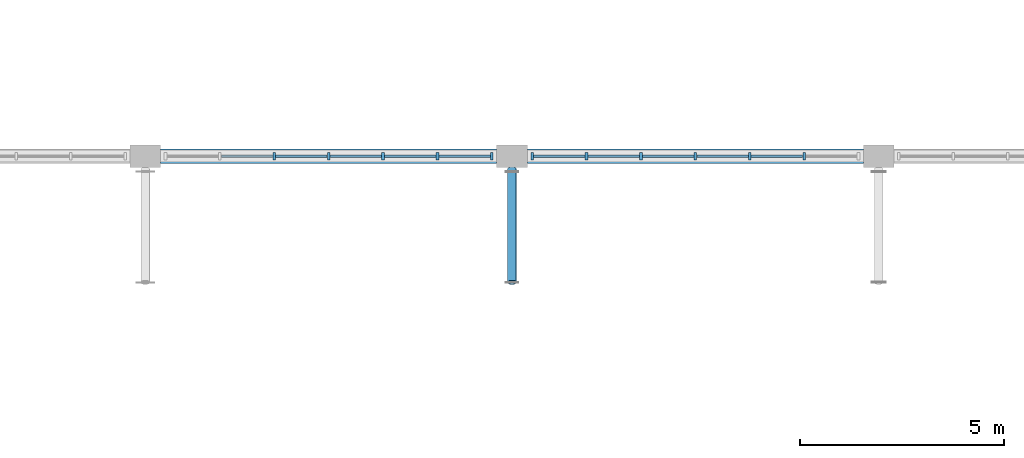
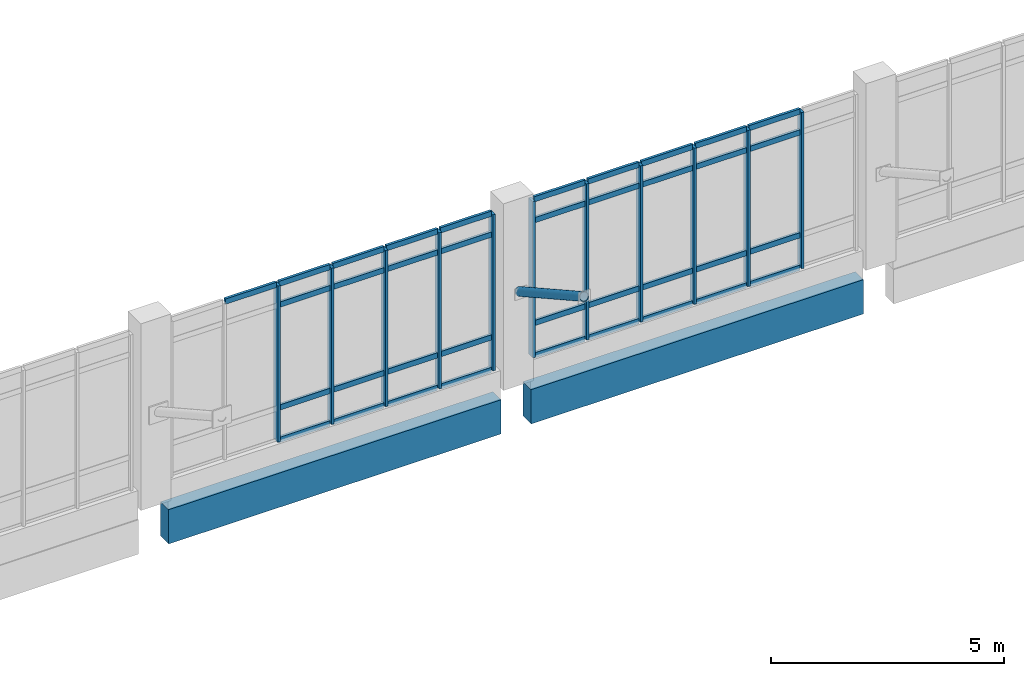
# One storey, part 27 of 110: 49 members, 2 beams, 2 elements without a shape of their own.
"""IFC4 building model written with IfcOpenShell, lengths in metres."""

from ifc_helpers import new_model, si_unit, direction, frame, origin, origin_2d, place, context, subcontext, project, spatial, rectangle, hollow_circle, extrude, material, layer, layer_set, material_profile, profile_set, type_object, element, aggregate, save


model = new_model("IFC4")

# Units and contexts
model_context = context("Model", 3, precision=1e-05, world=origin(), true_north=direction((0.0, 1.0)))
body_context = subcontext(model_context, "Body", "Model", "MODEL_VIEW")
ifc_project = project(units=[si_unit("LENGTHUNIT", "METRE"), si_unit("AREAUNIT", "SQUARE_METRE"), si_unit("VOLUMEUNIT", "CUBIC_METRE"), si_unit("PLANEANGLEUNIT", "RADIAN"), si_unit("MASSUNIT", "GRAM", prefix="KILO")], contexts=[model_context])

# Site, building, storey
site_placement = place(None, origin())
site = spatial("IfcSite", under=ifc_project, at=site_placement, CompositionType="ELEMENT")
building_placement = place(site_placement, origin())
building = spatial("IfcBuilding", under=site, at=building_placement, Name="Zacnel Wholesale Market", CompositionType="ELEMENT")
storey_placement = place(building_placement, frame((0.0, 0.0, 6.300048828125)))
storey = spatial("IfcBuildingStorey", under=building, at=storey_placement, Name="L02", CompositionType="ELEMENT", Elevation=6.300048828125)

# Beams
ifc_material_1 = material(Name="Precast concrete C45/55", Category="concrete")
ifc_material_profile_1 = material_profile(ifc_material_1, rectangle(XDim=0.35009765625, YDim=0.89990234375, at=origin_2d()), Name="SP 350x900")
ifc_profile_set_1 = profile_set([ifc_material_profile_1], Name="Precast concrete C45/55")
beam_type = type_object("IfcBeamType", Name="BM-SP900", PredefinedType="SPANDREL", material=ifc_profile_set_1)
for number, where, z_axis, x_axis, name in (
    (1, (108.375, 96.300048828125, -0.75), (1.0, 0.0, 0.0), (0.0, 1.0, 0.0), "Precast girder X-0233"),
    (2, (117.375, 96.300048828125, -0.75), (1.0, 0.0, 0.0), (0.0, 1.0, 0.0), "Precast girder X-0234"),
):
    element("IfcBeam", number, at=place(storey_placement, frame(where, z_axis=z_axis, x_axis=x_axis)), inside=storey, type_object=beam_type, Name=name, PredefinedType="SPANDREL", context=body_context, shape_type="SweptSolid", body=[
        extrude(rectangle(XDim=0.35009765625, YDim=0.89990234375, at=origin_2d()), origin(), (0.0, 0.0, 1.0), 8.25),
    ])

# Curtain wall, members
ifc_material_2 = material(Name="Anodised aluminium", Category="aluminium")
ifc_layer = layer(ifc_material_2, 0.159912109375)
ifc_layer_set = layer_set([ifc_layer], Name="Anodised aluminium")
curtain_wall_type = type_object("IfcCurtainWallType", Name="CW-NAVE-4200", PredefinedType="NOTDEFINED", material=ifc_layer_set)
curtain_wall_1_placement = place(storey_placement, origin())
curtain_wall_1 = element("IfcCurtainWall", 3, at=curtain_wall_1_placement, inside=storey, type_object=curtain_wall_type, Name="Curtain wall ENV-R2-CW-L02-024", PredefinedType="NOTDEFINED")
ifc_material_3 = material(Name="Anodised aluminium", Category="aluminium")
ifc_material_profile_2 = material_profile(ifc_material_3, rectangle(XDim=0.06494140625, YDim=0.179931640625, at=origin_2d()), Name="AW-MULLION 65x180")
ifc_profile_set_2 = profile_set([ifc_material_profile_2], Name="Anodised aluminium")
member_type_1 = type_object("IfcMemberType", Name="CWM-MUL-03", PredefinedType="MULLION", material=ifc_profile_set_2)
member_1_placement = place(storey_placement, frame((111.1650390625, 96.300048828125, 0.449951171875), z_axis=(0.0, 0.0, 1.0), x_axis=(1.0, 0.0, 0.0)))
member_1 = element("IfcMember", 4, at=member_1_placement, type_object=member_type_1, Name="ENV-R2-CW-L02-024 mullion 03", PredefinedType="MULLION", context=body_context, shape_type="SweptSolid", body=[
    extrude(rectangle(XDim=0.06494140625, YDim=0.179931640625, at=origin_2d()), origin(), (0.0, 0.0, 1.0), 4.10009765625),
])
member_2_placement = place(storey_placement, frame((112.5, 96.300048828125, 0.449951171875), z_axis=(0.0, 0.0, 1.0), x_axis=(1.0, 0.0, 0.0)))
member_2 = element("IfcMember", 5, at=member_2_placement, type_object=member_type_1, Name="ENV-R2-CW-L02-024 mullion 04", PredefinedType="MULLION", context=body_context, shape_type="SweptSolid", body=[
    extrude(rectangle(XDim=0.06494140625, YDim=0.179931640625, at=origin_2d()), origin(), (0.0, 0.0, 1.0), 4.10009765625),
])
member_3_placement = place(storey_placement, frame((113.8349609375, 96.300048828125, 0.449951171875), z_axis=(0.0, 0.0, 1.0), x_axis=(1.0, 0.0, 0.0)))
member_3 = element("IfcMember", 6, at=member_3_placement, type_object=member_type_1, Name="ENV-R2-CW-L02-024 mullion 05", PredefinedType="MULLION", context=body_context, shape_type="SweptSolid", body=[
    extrude(rectangle(XDim=0.06494140625, YDim=0.179931640625, at=origin_2d()), origin(), (0.0, 0.0, 1.0), 4.10009765625),
])
member_4_placement = place(storey_placement, frame((115.169921875, 96.300048828125, 0.449951171875), z_axis=(0.0, 0.0, 1.0), x_axis=(1.0, 0.0, 0.0)))
member_4 = element("IfcMember", 7, at=member_4_placement, type_object=member_type_1, Name="ENV-R2-CW-L02-024 mullion 06", PredefinedType="MULLION", context=body_context, shape_type="SweptSolid", body=[
    extrude(rectangle(XDim=0.06494140625, YDim=0.179931640625, at=origin_2d()), origin(), (0.0, 0.0, 1.0), 4.10009765625),
])
member_5_placement = place(storey_placement, frame((116.5048828125, 96.300048828125, 0.449951171875), z_axis=(0.0, 0.0, 1.0), x_axis=(1.0, 0.0, 0.0)))
member_5 = element("IfcMember", 8, at=member_5_placement, type_object=member_type_1, Name="ENV-R2-CW-L02-024 mullion 07", PredefinedType="MULLION", context=body_context, shape_type="SweptSolid", body=[
    extrude(rectangle(XDim=0.06494140625, YDim=0.179931640625, at=origin_2d()), origin(), (0.0, 0.0, 1.0), 4.10009765625),
])

curtain_wall_2_placement = place(storey_placement, origin())
curtain_wall_2 = element("IfcCurtainWall", 9, at=curtain_wall_2_placement, inside=storey, type_object=curtain_wall_type, Name="Curtain wall ENV-R2-CW-L02-025", PredefinedType="NOTDEFINED")
member_6_placement = place(storey_placement, frame((117.4951171875, 96.300048828125, 0.449951171875), z_axis=(0.0, 0.0, 1.0), x_axis=(1.0, 0.0, 0.0)))
member_6 = element("IfcMember", 10, at=member_6_placement, type_object=member_type_1, Name="ENV-R2-CW-L02-025 mullion 01", PredefinedType="MULLION", context=body_context, shape_type="SweptSolid", body=[
    extrude(rectangle(XDim=0.06494140625, YDim=0.179931640625, at=origin_2d()), origin(), (0.0, 0.0, 1.0), 4.10009765625),
])
member_7_placement = place(storey_placement, frame((118.830078125, 96.300048828125, 0.449951171875), z_axis=(0.0, 0.0, 1.0), x_axis=(1.0, 0.0, 0.0)))
member_7 = element("IfcMember", 11, at=member_7_placement, type_object=member_type_1, Name="ENV-R2-CW-L02-025 mullion 02", PredefinedType="MULLION", context=body_context, shape_type="SweptSolid", body=[
    extrude(rectangle(XDim=0.06494140625, YDim=0.179931640625, at=origin_2d()), origin(), (0.0, 0.0, 1.0), 4.10009765625),
])
member_8_placement = place(storey_placement, frame((120.1650390625, 96.300048828125, 0.449951171875), z_axis=(0.0, 0.0, 1.0), x_axis=(1.0, 0.0, 0.0)))
member_8 = element("IfcMember", 12, at=member_8_placement, type_object=member_type_1, Name="ENV-R2-CW-L02-025 mullion 03", PredefinedType="MULLION", context=body_context, shape_type="SweptSolid", body=[
    extrude(rectangle(XDim=0.06494140625, YDim=0.179931640625, at=origin_2d()), origin(), (0.0, 0.0, 1.0), 4.10009765625),
])
member_9_placement = place(storey_placement, frame((121.5, 96.300048828125, 0.449951171875), z_axis=(0.0, 0.0, 1.0), x_axis=(1.0, 0.0, 0.0)))
member_9 = element("IfcMember", 13, at=member_9_placement, type_object=member_type_1, Name="ENV-R2-CW-L02-025 mullion 04", PredefinedType="MULLION", context=body_context, shape_type="SweptSolid", body=[
    extrude(rectangle(XDim=0.06494140625, YDim=0.179931640625, at=origin_2d()), origin(), (0.0, 0.0, 1.0), 4.10009765625),
])
member_10_placement = place(storey_placement, frame((122.8349609375, 96.300048828125, 0.449951171875), z_axis=(0.0, 0.0, 1.0), x_axis=(1.0, 0.0, 0.0)))
member_10 = element("IfcMember", 14, at=member_10_placement, type_object=member_type_1, Name="ENV-R2-CW-L02-025 mullion 05", PredefinedType="MULLION", context=body_context, shape_type="SweptSolid", body=[
    extrude(rectangle(XDim=0.06494140625, YDim=0.179931640625, at=origin_2d()), origin(), (0.0, 0.0, 1.0), 4.10009765625),
])
member_11_placement = place(storey_placement, frame((124.169921875, 96.300048828125, 0.449951171875), z_axis=(0.0, 0.0, 1.0), x_axis=(1.0, 0.0, 0.0)))
member_11 = element("IfcMember", 15, at=member_11_placement, type_object=member_type_1, Name="ENV-R2-CW-L02-025 mullion 06", PredefinedType="MULLION", context=body_context, shape_type="SweptSolid", body=[
    extrude(rectangle(XDim=0.06494140625, YDim=0.179931640625, at=origin_2d()), origin(), (0.0, 0.0, 1.0), 4.10009765625),
])

# Member
ifc_material_4 = material(Name="Anodised aluminium", Category="aluminium")
ifc_material_profile_3 = material_profile(ifc_material_4, rectangle(XDim=0.06494140625, YDim=0.139892578125, at=origin_2d()), Name="AW-TRANSOM 65x140")
ifc_profile_set_3 = profile_set([ifc_material_profile_3], Name="Anodised aluminium")
member_type_2 = type_object("IfcMemberType", Name="CWM-TRN-03", PredefinedType="USERDEFINED", material=ifc_profile_set_3)
member_12_placement = place(storey_placement, frame((109.864990234375, 96.300048828125, 4.550048828125), z_axis=(1.0, 0.0, 0.0), x_axis=(0.0, 1.0, 0.0)))
member_12 = element("IfcMember", 16, at=member_12_placement, type_object=member_type_2, Name="ENV-R2-CW-L02-024 transom 2-4", ObjectType="TRANSOM", PredefinedType="USERDEFINED", context=body_context, shape_type="SweptSolid", body=[
    extrude(rectangle(XDim=0.06494140625, YDim=0.139892578125, at=origin_2d()), origin(), (0.0, 0.0, 1.0), 1.264892578125),
])

member_13_placement = place(storey_placement, frame((111.199951171875, 96.300048828125, 0.449951171875), z_axis=(1.0, 0.0, 0.0), x_axis=(0.0, 1.0, 0.0)))
member_13 = element("IfcMember", 17, at=member_13_placement, type_object=member_type_2, Name="ENV-R2-CW-L02-024 transom 3-1", ObjectType="TRANSOM", PredefinedType="USERDEFINED", context=body_context, shape_type="SweptSolid", body=[
    extrude(rectangle(XDim=0.06494140625, YDim=0.139892578125, at=origin_2d()), origin(), (0.0, 0.0, 1.0), 1.26513671875),
])

member_14_placement = place(storey_placement, frame((111.199951171875, 96.300048828125, 1.300048828125), z_axis=(1.0, 0.0, 0.0), x_axis=(0.0, 1.0, 0.0)))
member_14 = element("IfcMember", 18, at=member_14_placement, type_object=member_type_2, Name="ENV-R2-CW-L02-024 transom 3-2", ObjectType="TRANSOM", PredefinedType="USERDEFINED", context=body_context, shape_type="SweptSolid", body=[
    extrude(rectangle(XDim=0.06494140625, YDim=0.139892578125, at=origin_2d()), origin(), (0.0, 0.0, 1.0), 1.26513671875),
])

member_15_placement = place(storey_placement, frame((111.199951171875, 96.300048828125, 4.0), z_axis=(1.0, 0.0, 0.0), x_axis=(0.0, 1.0, 0.0)))
member_15 = element("IfcMember", 19, at=member_15_placement, type_object=member_type_2, Name="ENV-R2-CW-L02-024 transom 3-3", ObjectType="TRANSOM", PredefinedType="USERDEFINED", context=body_context, shape_type="SweptSolid", body=[
    extrude(rectangle(XDim=0.06494140625, YDim=0.139892578125, at=origin_2d()), origin(), (0.0, 0.0, 1.0), 1.26513671875),
])

member_16_placement = place(storey_placement, frame((111.199951171875, 96.300048828125, 4.550048828125), z_axis=(1.0, 0.0, 0.0), x_axis=(0.0, 1.0, 0.0)))
member_16 = element("IfcMember", 20, at=member_16_placement, type_object=member_type_2, Name="ENV-R2-CW-L02-024 transom 3-4", ObjectType="TRANSOM", PredefinedType="USERDEFINED", context=body_context, shape_type="SweptSolid", body=[
    extrude(rectangle(XDim=0.06494140625, YDim=0.139892578125, at=origin_2d()), origin(), (0.0, 0.0, 1.0), 1.26513671875),
])

member_17_placement = place(storey_placement, frame((112.534912109375, 96.300048828125, 0.449951171875), z_axis=(1.0, 0.0, 0.0), x_axis=(0.0, 1.0, 0.0)))
member_17 = element("IfcMember", 21, at=member_17_placement, type_object=member_type_2, Name="ENV-R2-CW-L02-024 transom 4-1", ObjectType="TRANSOM", PredefinedType="USERDEFINED", context=body_context, shape_type="SweptSolid", body=[
    extrude(rectangle(XDim=0.06494140625, YDim=0.139892578125, at=origin_2d()), origin(), (0.0, 0.0, 1.0), 1.26513671875),
])

member_18_placement = place(storey_placement, frame((112.534912109375, 96.300048828125, 1.300048828125), z_axis=(1.0, 0.0, 0.0), x_axis=(0.0, 1.0, 0.0)))
member_18 = element("IfcMember", 22, at=member_18_placement, type_object=member_type_2, Name="ENV-R2-CW-L02-024 transom 4-2", ObjectType="TRANSOM", PredefinedType="USERDEFINED", context=body_context, shape_type="SweptSolid", body=[
    extrude(rectangle(XDim=0.06494140625, YDim=0.139892578125, at=origin_2d()), origin(), (0.0, 0.0, 1.0), 1.26513671875),
])

member_19_placement = place(storey_placement, frame((112.534912109375, 96.300048828125, 4.0), z_axis=(1.0, 0.0, 0.0), x_axis=(0.0, 1.0, 0.0)))
member_19 = element("IfcMember", 23, at=member_19_placement, type_object=member_type_2, Name="ENV-R2-CW-L02-024 transom 4-3", ObjectType="TRANSOM", PredefinedType="USERDEFINED", context=body_context, shape_type="SweptSolid", body=[
    extrude(rectangle(XDim=0.06494140625, YDim=0.139892578125, at=origin_2d()), origin(), (0.0, 0.0, 1.0), 1.26513671875),
])

member_20_placement = place(storey_placement, frame((112.534912109375, 96.300048828125, 4.550048828125), z_axis=(1.0, 0.0, 0.0), x_axis=(0.0, 1.0, 0.0)))
member_20 = element("IfcMember", 24, at=member_20_placement, type_object=member_type_2, Name="ENV-R2-CW-L02-024 transom 4-4", ObjectType="TRANSOM", PredefinedType="USERDEFINED", context=body_context, shape_type="SweptSolid", body=[
    extrude(rectangle(XDim=0.06494140625, YDim=0.139892578125, at=origin_2d()), origin(), (0.0, 0.0, 1.0), 1.26513671875),
])

member_21_placement = place(storey_placement, frame((113.8701171875, 96.300048828125, 0.449951171875), z_axis=(1.0, 0.0, 0.0), x_axis=(0.0, 1.0, 0.0)))
member_21 = element("IfcMember", 25, at=member_21_placement, type_object=member_type_2, Name="ENV-R2-CW-L02-024 transom 5-1", ObjectType="TRANSOM", PredefinedType="USERDEFINED", context=body_context, shape_type="SweptSolid", body=[
    extrude(rectangle(XDim=0.06494140625, YDim=0.139892578125, at=origin_2d()), origin(), (0.0, 0.0, 1.0), 1.264892578125),
])

member_22_placement = place(storey_placement, frame((113.8701171875, 96.300048828125, 1.300048828125), z_axis=(1.0, 0.0, 0.0), x_axis=(0.0, 1.0, 0.0)))
member_22 = element("IfcMember", 26, at=member_22_placement, type_object=member_type_2, Name="ENV-R2-CW-L02-024 transom 5-2", ObjectType="TRANSOM", PredefinedType="USERDEFINED", context=body_context, shape_type="SweptSolid", body=[
    extrude(rectangle(XDim=0.06494140625, YDim=0.139892578125, at=origin_2d()), origin(), (0.0, 0.0, 1.0), 1.264892578125),
])

member_23_placement = place(storey_placement, frame((113.8701171875, 96.300048828125, 4.0), z_axis=(1.0, 0.0, 0.0), x_axis=(0.0, 1.0, 0.0)))
member_23 = element("IfcMember", 27, at=member_23_placement, type_object=member_type_2, Name="ENV-R2-CW-L02-024 transom 5-3", ObjectType="TRANSOM", PredefinedType="USERDEFINED", context=body_context, shape_type="SweptSolid", body=[
    extrude(rectangle(XDim=0.06494140625, YDim=0.139892578125, at=origin_2d()), origin(), (0.0, 0.0, 1.0), 1.264892578125),
])

member_24_placement = place(storey_placement, frame((113.8701171875, 96.300048828125, 4.550048828125), z_axis=(1.0, 0.0, 0.0), x_axis=(0.0, 1.0, 0.0)))
member_24 = element("IfcMember", 28, at=member_24_placement, type_object=member_type_2, Name="ENV-R2-CW-L02-024 transom 5-4", ObjectType="TRANSOM", PredefinedType="USERDEFINED", context=body_context, shape_type="SweptSolid", body=[
    extrude(rectangle(XDim=0.06494140625, YDim=0.139892578125, at=origin_2d()), origin(), (0.0, 0.0, 1.0), 1.264892578125),
])

member_25_placement = place(storey_placement, frame((115.205078125, 96.300048828125, 0.449951171875), z_axis=(1.0, 0.0, 0.0), x_axis=(0.0, 1.0, 0.0)))
member_25 = element("IfcMember", 29, at=member_25_placement, type_object=member_type_2, Name="ENV-R2-CW-L02-024 transom 6-1", ObjectType="TRANSOM", PredefinedType="USERDEFINED", context=body_context, shape_type="SweptSolid", body=[
    extrude(rectangle(XDim=0.06494140625, YDim=0.139892578125, at=origin_2d()), origin(), (0.0, 0.0, 1.0), 1.264892578125),
])

member_26_placement = place(storey_placement, frame((115.205078125, 96.300048828125, 1.300048828125), z_axis=(1.0, 0.0, 0.0), x_axis=(0.0, 1.0, 0.0)))
member_26 = element("IfcMember", 30, at=member_26_placement, type_object=member_type_2, Name="ENV-R2-CW-L02-024 transom 6-2", ObjectType="TRANSOM", PredefinedType="USERDEFINED", context=body_context, shape_type="SweptSolid", body=[
    extrude(rectangle(XDim=0.06494140625, YDim=0.139892578125, at=origin_2d()), origin(), (0.0, 0.0, 1.0), 1.264892578125),
])

member_27_placement = place(storey_placement, frame((115.205078125, 96.300048828125, 4.0), z_axis=(1.0, 0.0, 0.0), x_axis=(0.0, 1.0, 0.0)))
member_27 = element("IfcMember", 31, at=member_27_placement, type_object=member_type_2, Name="ENV-R2-CW-L02-024 transom 6-3", ObjectType="TRANSOM", PredefinedType="USERDEFINED", context=body_context, shape_type="SweptSolid", body=[
    extrude(rectangle(XDim=0.06494140625, YDim=0.139892578125, at=origin_2d()), origin(), (0.0, 0.0, 1.0), 1.264892578125),
])

member_28_placement = place(storey_placement, frame((115.205078125, 96.300048828125, 4.550048828125), z_axis=(1.0, 0.0, 0.0), x_axis=(0.0, 1.0, 0.0)))
member_28 = element("IfcMember", 32, at=member_28_placement, type_object=member_type_2, Name="ENV-R2-CW-L02-024 transom 6-4", ObjectType="TRANSOM", PredefinedType="USERDEFINED", context=body_context, shape_type="SweptSolid", body=[
    extrude(rectangle(XDim=0.06494140625, YDim=0.139892578125, at=origin_2d()), origin(), (0.0, 0.0, 1.0), 1.264892578125),
])

aggregate(curtain_wall_1, [member_1, member_2, member_3, member_4, member_5, member_12, member_13, member_14, member_15, member_16, member_17, member_18, member_19, member_20, member_21, member_22, member_23, member_24, member_25, member_26, member_27, member_28])

member_29_placement = place(storey_placement, frame((117.530029296875, 96.300048828125, 0.449951171875), z_axis=(1.0, 0.0, 0.0), x_axis=(0.0, 1.0, 0.0)))
member_29 = element("IfcMember", 33, at=member_29_placement, type_object=member_type_2, Name="ENV-R2-CW-L02-025 transom 1-1", ObjectType="TRANSOM", PredefinedType="USERDEFINED", context=body_context, shape_type="SweptSolid", body=[
    extrude(rectangle(XDim=0.06494140625, YDim=0.139892578125, at=origin_2d()), origin(), (0.0, 0.0, 1.0), 1.264892578125),
])

member_30_placement = place(storey_placement, frame((117.530029296875, 96.300048828125, 1.300048828125), z_axis=(1.0, 0.0, 0.0), x_axis=(0.0, 1.0, 0.0)))
member_30 = element("IfcMember", 34, at=member_30_placement, type_object=member_type_2, Name="ENV-R2-CW-L02-025 transom 1-2", ObjectType="TRANSOM", PredefinedType="USERDEFINED", context=body_context, shape_type="SweptSolid", body=[
    extrude(rectangle(XDim=0.06494140625, YDim=0.139892578125, at=origin_2d()), origin(), (0.0, 0.0, 1.0), 1.264892578125),
])

member_31_placement = place(storey_placement, frame((117.530029296875, 96.300048828125, 4.0), z_axis=(1.0, 0.0, 0.0), x_axis=(0.0, 1.0, 0.0)))
member_31 = element("IfcMember", 35, at=member_31_placement, type_object=member_type_2, Name="ENV-R2-CW-L02-025 transom 1-3", ObjectType="TRANSOM", PredefinedType="USERDEFINED", context=body_context, shape_type="SweptSolid", body=[
    extrude(rectangle(XDim=0.06494140625, YDim=0.139892578125, at=origin_2d()), origin(), (0.0, 0.0, 1.0), 1.264892578125),
])

member_32_placement = place(storey_placement, frame((117.530029296875, 96.300048828125, 4.550048828125), z_axis=(1.0, 0.0, 0.0), x_axis=(0.0, 1.0, 0.0)))
member_32 = element("IfcMember", 36, at=member_32_placement, type_object=member_type_2, Name="ENV-R2-CW-L02-025 transom 1-4", ObjectType="TRANSOM", PredefinedType="USERDEFINED", context=body_context, shape_type="SweptSolid", body=[
    extrude(rectangle(XDim=0.06494140625, YDim=0.139892578125, at=origin_2d()), origin(), (0.0, 0.0, 1.0), 1.264892578125),
])

member_33_placement = place(storey_placement, frame((118.864990234375, 96.300048828125, 0.449951171875), z_axis=(1.0, 0.0, 0.0), x_axis=(0.0, 1.0, 0.0)))
member_33 = element("IfcMember", 37, at=member_33_placement, type_object=member_type_2, Name="ENV-R2-CW-L02-025 transom 2-1", ObjectType="TRANSOM", PredefinedType="USERDEFINED", context=body_context, shape_type="SweptSolid", body=[
    extrude(rectangle(XDim=0.06494140625, YDim=0.139892578125, at=origin_2d()), origin(), (0.0, 0.0, 1.0), 1.264892578125),
])

member_34_placement = place(storey_placement, frame((118.864990234375, 96.300048828125, 1.300048828125), z_axis=(1.0, 0.0, 0.0), x_axis=(0.0, 1.0, 0.0)))
member_34 = element("IfcMember", 38, at=member_34_placement, type_object=member_type_2, Name="ENV-R2-CW-L02-025 transom 2-2", ObjectType="TRANSOM", PredefinedType="USERDEFINED", context=body_context, shape_type="SweptSolid", body=[
    extrude(rectangle(XDim=0.06494140625, YDim=0.139892578125, at=origin_2d()), origin(), (0.0, 0.0, 1.0), 1.264892578125),
])

member_35_placement = place(storey_placement, frame((118.864990234375, 96.300048828125, 4.0), z_axis=(1.0, 0.0, 0.0), x_axis=(0.0, 1.0, 0.0)))
member_35 = element("IfcMember", 39, at=member_35_placement, type_object=member_type_2, Name="ENV-R2-CW-L02-025 transom 2-3", ObjectType="TRANSOM", PredefinedType="USERDEFINED", context=body_context, shape_type="SweptSolid", body=[
    extrude(rectangle(XDim=0.06494140625, YDim=0.139892578125, at=origin_2d()), origin(), (0.0, 0.0, 1.0), 1.264892578125),
])

member_36_placement = place(storey_placement, frame((118.864990234375, 96.300048828125, 4.550048828125), z_axis=(1.0, 0.0, 0.0), x_axis=(0.0, 1.0, 0.0)))
member_36 = element("IfcMember", 40, at=member_36_placement, type_object=member_type_2, Name="ENV-R2-CW-L02-025 transom 2-4", ObjectType="TRANSOM", PredefinedType="USERDEFINED", context=body_context, shape_type="SweptSolid", body=[
    extrude(rectangle(XDim=0.06494140625, YDim=0.139892578125, at=origin_2d()), origin(), (0.0, 0.0, 1.0), 1.264892578125),
])

member_37_placement = place(storey_placement, frame((120.199951171875, 96.300048828125, 0.449951171875), z_axis=(1.0, 0.0, 0.0), x_axis=(0.0, 1.0, 0.0)))
member_37 = element("IfcMember", 41, at=member_37_placement, type_object=member_type_2, Name="ENV-R2-CW-L02-025 transom 3-1", ObjectType="TRANSOM", PredefinedType="USERDEFINED", context=body_context, shape_type="SweptSolid", body=[
    extrude(rectangle(XDim=0.06494140625, YDim=0.139892578125, at=origin_2d()), origin(), (0.0, 0.0, 1.0), 1.26513671875),
])

member_38_placement = place(storey_placement, frame((120.199951171875, 96.300048828125, 1.300048828125), z_axis=(1.0, 0.0, 0.0), x_axis=(0.0, 1.0, 0.0)))
member_38 = element("IfcMember", 42, at=member_38_placement, type_object=member_type_2, Name="ENV-R2-CW-L02-025 transom 3-2", ObjectType="TRANSOM", PredefinedType="USERDEFINED", context=body_context, shape_type="SweptSolid", body=[
    extrude(rectangle(XDim=0.06494140625, YDim=0.139892578125, at=origin_2d()), origin(), (0.0, 0.0, 1.0), 1.26513671875),
])

member_39_placement = place(storey_placement, frame((120.199951171875, 96.300048828125, 4.0), z_axis=(1.0, 0.0, 0.0), x_axis=(0.0, 1.0, 0.0)))
member_39 = element("IfcMember", 43, at=member_39_placement, type_object=member_type_2, Name="ENV-R2-CW-L02-025 transom 3-3", ObjectType="TRANSOM", PredefinedType="USERDEFINED", context=body_context, shape_type="SweptSolid", body=[
    extrude(rectangle(XDim=0.06494140625, YDim=0.139892578125, at=origin_2d()), origin(), (0.0, 0.0, 1.0), 1.26513671875),
])

member_40_placement = place(storey_placement, frame((120.199951171875, 96.300048828125, 4.550048828125), z_axis=(1.0, 0.0, 0.0), x_axis=(0.0, 1.0, 0.0)))
member_40 = element("IfcMember", 44, at=member_40_placement, type_object=member_type_2, Name="ENV-R2-CW-L02-025 transom 3-4", ObjectType="TRANSOM", PredefinedType="USERDEFINED", context=body_context, shape_type="SweptSolid", body=[
    extrude(rectangle(XDim=0.06494140625, YDim=0.139892578125, at=origin_2d()), origin(), (0.0, 0.0, 1.0), 1.26513671875),
])

member_41_placement = place(storey_placement, frame((121.534912109375, 96.300048828125, 0.449951171875), z_axis=(1.0, 0.0, 0.0), x_axis=(0.0, 1.0, 0.0)))
member_41 = element("IfcMember", 45, at=member_41_placement, type_object=member_type_2, Name="ENV-R2-CW-L02-025 transom 4-1", ObjectType="TRANSOM", PredefinedType="USERDEFINED", context=body_context, shape_type="SweptSolid", body=[
    extrude(rectangle(XDim=0.06494140625, YDim=0.139892578125, at=origin_2d()), origin(), (0.0, 0.0, 1.0), 1.26513671875),
])

member_42_placement = place(storey_placement, frame((121.534912109375, 96.300048828125, 1.300048828125), z_axis=(1.0, 0.0, 0.0), x_axis=(0.0, 1.0, 0.0)))
member_42 = element("IfcMember", 46, at=member_42_placement, type_object=member_type_2, Name="ENV-R2-CW-L02-025 transom 4-2", ObjectType="TRANSOM", PredefinedType="USERDEFINED", context=body_context, shape_type="SweptSolid", body=[
    extrude(rectangle(XDim=0.06494140625, YDim=0.139892578125, at=origin_2d()), origin(), (0.0, 0.0, 1.0), 1.26513671875),
])

member_43_placement = place(storey_placement, frame((121.534912109375, 96.300048828125, 4.0), z_axis=(1.0, 0.0, 0.0), x_axis=(0.0, 1.0, 0.0)))
member_43 = element("IfcMember", 47, at=member_43_placement, type_object=member_type_2, Name="ENV-R2-CW-L02-025 transom 4-3", ObjectType="TRANSOM", PredefinedType="USERDEFINED", context=body_context, shape_type="SweptSolid", body=[
    extrude(rectangle(XDim=0.06494140625, YDim=0.139892578125, at=origin_2d()), origin(), (0.0, 0.0, 1.0), 1.26513671875),
])

member_44_placement = place(storey_placement, frame((121.534912109375, 96.300048828125, 4.550048828125), z_axis=(1.0, 0.0, 0.0), x_axis=(0.0, 1.0, 0.0)))
member_44 = element("IfcMember", 48, at=member_44_placement, type_object=member_type_2, Name="ENV-R2-CW-L02-025 transom 4-4", ObjectType="TRANSOM", PredefinedType="USERDEFINED", context=body_context, shape_type="SweptSolid", body=[
    extrude(rectangle(XDim=0.06494140625, YDim=0.139892578125, at=origin_2d()), origin(), (0.0, 0.0, 1.0), 1.26513671875),
])

member_45_placement = place(storey_placement, frame((122.8701171875, 96.300048828125, 0.449951171875), z_axis=(1.0, 0.0, 0.0), x_axis=(0.0, 1.0, 0.0)))
member_45 = element("IfcMember", 49, at=member_45_placement, type_object=member_type_2, Name="ENV-R2-CW-L02-025 transom 5-1", ObjectType="TRANSOM", PredefinedType="USERDEFINED", context=body_context, shape_type="SweptSolid", body=[
    extrude(rectangle(XDim=0.06494140625, YDim=0.139892578125, at=origin_2d()), origin(), (0.0, 0.0, 1.0), 1.264892578125),
])

member_46_placement = place(storey_placement, frame((122.8701171875, 96.300048828125, 1.300048828125), z_axis=(1.0, 0.0, 0.0), x_axis=(0.0, 1.0, 0.0)))
member_46 = element("IfcMember", 50, at=member_46_placement, type_object=member_type_2, Name="ENV-R2-CW-L02-025 transom 5-2", ObjectType="TRANSOM", PredefinedType="USERDEFINED", context=body_context, shape_type="SweptSolid", body=[
    extrude(rectangle(XDim=0.06494140625, YDim=0.139892578125, at=origin_2d()), origin(), (0.0, 0.0, 1.0), 1.264892578125),
])

member_47_placement = place(storey_placement, frame((122.8701171875, 96.300048828125, 4.0), z_axis=(1.0, 0.0, 0.0), x_axis=(0.0, 1.0, 0.0)))
member_47 = element("IfcMember", 51, at=member_47_placement, type_object=member_type_2, Name="ENV-R2-CW-L02-025 transom 5-3", ObjectType="TRANSOM", PredefinedType="USERDEFINED", context=body_context, shape_type="SweptSolid", body=[
    extrude(rectangle(XDim=0.06494140625, YDim=0.139892578125, at=origin_2d()), origin(), (0.0, 0.0, 1.0), 1.264892578125),
])

member_48_placement = place(storey_placement, frame((122.8701171875, 96.300048828125, 4.550048828125), z_axis=(1.0, 0.0, 0.0), x_axis=(0.0, 1.0, 0.0)))
member_48 = element("IfcMember", 52, at=member_48_placement, type_object=member_type_2, Name="ENV-R2-CW-L02-025 transom 5-4", ObjectType="TRANSOM", PredefinedType="USERDEFINED", context=body_context, shape_type="SweptSolid", body=[
    extrude(rectangle(XDim=0.06494140625, YDim=0.139892578125, at=origin_2d()), origin(), (0.0, 0.0, 1.0), 1.264892578125),
])

aggregate(curtain_wall_2, [member_6, member_7, member_8, member_9, member_10, member_11, member_29, member_30, member_31, member_32, member_33, member_34, member_35, member_36, member_37, member_38, member_39, member_40, member_41, member_42, member_43, member_44, member_45, member_46, member_47, member_48])

ifc_material_5 = material(Name="Steel S355", Category="steel")
ifc_material_profile_4 = material_profile(ifc_material_5, hollow_circle(Radius=0.109619140625, WallThickness=0.010009765625, at=origin_2d()), Name="CHS 219.1x10")
ifc_profile_set_4 = profile_set([ifc_material_profile_4], Name="Steel S355")
member_type_3 = type_object("IfcMemberType", Name="MEM-STR-CHS219", PredefinedType="STRUT", material=ifc_profile_set_4)
member_49_placement = place(storey_placement, frame((117.0, 95.97998046875, 2.5), z_axis=(0.0, -0.873410930295, 0.48698392873), x_axis=(1.0, 0.0, 0.0)))
element("IfcMember", 53, at=member_49_placement, inside=storey, type_object=member_type_3, Name="Storm eave knee strut 006", PredefinedType="STRUT", context=body_context, shape_type="SweptSolid", body=[
    extrude(hollow_circle(Radius=0.109619140625, WallThickness=0.010009765625, at=origin_2d()), origin(), (0.0, 0.0, 1.0), 3.182861328125),
])

save(model, "model.ifc")
